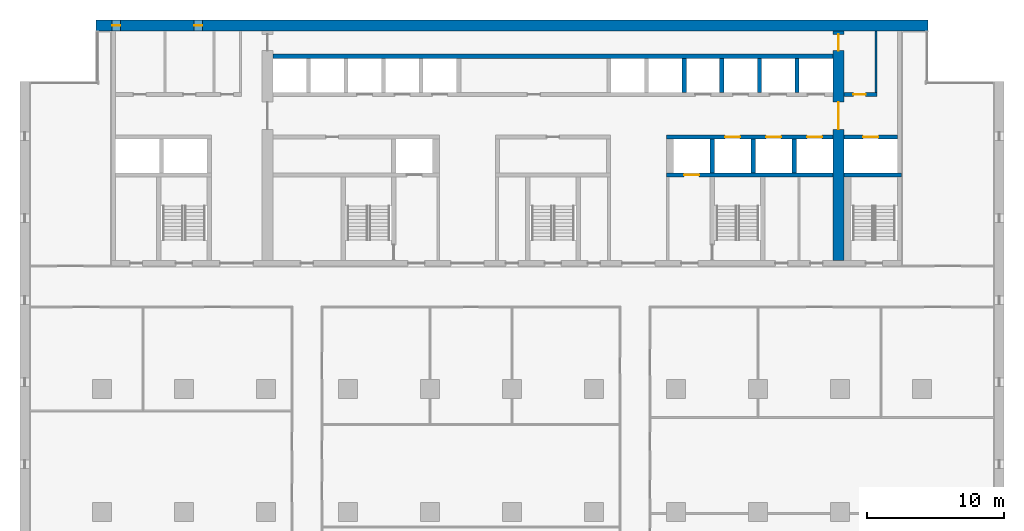
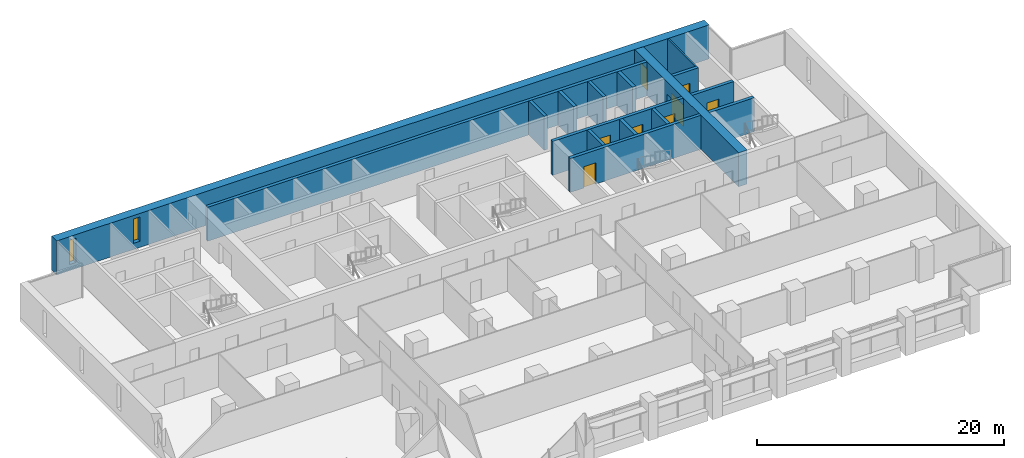
# One storey, part 11 of 17: 16 walls, 8 doors, 2 windows, 10 openings.
"""IFC4 building model written with IfcOpenShell, lengths in metres."""

import ifcopenshell
import ifcopenshell.guid

model = None  # the IFC model being written
_history = None  # IfcOwnerHistory: only IFC2X3 demands one
_inside = {}  # id of a spatial element -> (the spatial element, [elements in it])
_under = {}  # id of a project, library or spatial element -> (it, [spatial elements below it])
_declared = {}  # id of a project -> (the project, [libraries it declares])
_typed = {}  # id of a type object -> (the type object, [elements of that type])
_made_of = {}  # id of a material, layer set ... -> (it, [elements and type objects made of it])


def new_model(schema):
    """Start an empty IFC model of exactly this schema.

    Asked for "IFC4X3", IfcOpenShell would pick the latest addendum, in which some entities
    have other attributes; the version numbers below select the first issue.
    IFC2X3 requires an IfcOwnerHistory on every rooted entity: one is made here for all.
    """
    global model, _history
    if schema == "IFC4X3":
        model = ifcopenshell.file(schema_version=(4, 3, 0, 0))
    else:
        model = ifcopenshell.file(schema=schema)
    _inside.clear()
    _under.clear()
    _declared.clear()
    _typed.clear()
    _made_of.clear()
    _history = None
    if model.schema == "IFC2X3":
        org = make("IfcOrganization", Name="unknown")
        user = make(
            "IfcPersonAndOrganization",
            ThePerson=make("IfcPerson", FamilyName="unknown"),
            TheOrganization=org,
        )
        app = make(
            "IfcApplication",
            ApplicationDeveloper=org,
            Version="unknown",
            ApplicationFullName="unknown",
            ApplicationIdentifier="unknown",
        )
        _history = make(
            "IfcOwnerHistory",
            OwningUser=user,
            OwningApplication=app,
            ChangeAction="ADDED",
            CreationDate=0,
        )
    return model


def make(cls, **values):
    """One entity of the class cls with the attributes given. An attribute that is None is left unset."""
    return model.create_entity(
        cls, **{name: value for name, value in values.items() if value is not None}
    )


def rooted(cls, **values):
    """An entity with a GlobalId (a new one), such as an element, a storey or a relation."""
    return make(cls, GlobalId=ifcopenshell.guid.new(), OwnerHistory=_history, **values)


def si_unit(unit_type, name, prefix=None):
    """IfcSIUnit, for example si_unit("LENGTHUNIT", "METRE", prefix="MILLI")."""
    return make("IfcSIUnit", UnitType=unit_type, Prefix=prefix, Name=name)


def assignment(units):
    """IfcUnitAssignment: the units of a project."""
    return None if units is None else make("IfcUnitAssignment", Units=units)


def point(xyz):
    """IfcCartesianPoint."""
    return None if xyz is None else make("IfcCartesianPoint", Coordinates=xyz)


def direction(xyz):
    """IfcDirection."""
    return None if xyz is None else make("IfcDirection", DirectionRatios=xyz)


def frame(location, z_axis=None, x_axis=None):
    """IfcAxis2Placement3D, a coordinate frame: its origin and axes. An axis left out is left unset."""
    return make(
        "IfcAxis2Placement3D",
        Location=point(location),
        Axis=direction(z_axis),
        RefDirection=direction(x_axis),
    )


def frame_2d(location, x_axis=None):
    """IfcAxis2Placement2D, a coordinate frame in the plane: its origin and x axis."""
    return make(
        "IfcAxis2Placement2D", Location=point(location), RefDirection=direction(x_axis)
    )


def origin():
    """The frame at (0, 0, 0) with its axes left unset."""
    return frame((0.0, 0.0, 0.0))


def place(relative_to, where):
    """IfcLocalPlacement: puts the frame where relative to a parent placement (None: the world)."""
    return make(
        "IfcLocalPlacement", PlacementRelTo=relative_to, RelativePlacement=where
    )


def context(
    kind, dimensions, precision=None, world=None, true_north=None, identifier=None
):
    """IfcGeometricRepresentationContext, for example the 3D "Model" context."""
    return make(
        "IfcGeometricRepresentationContext",
        ContextIdentifier=identifier,
        ContextType=kind,
        CoordinateSpaceDimension=dimensions,
        Precision=precision,
        WorldCoordinateSystem=world,
        TrueNorth=true_north,
    )


def subcontext(parent, identifier, kind, view, scale=None):
    """IfcGeometricRepresentationSubContext, for example "Body" below "Model"."""
    return make(
        "IfcGeometricRepresentationSubContext",
        ContextIdentifier=identifier,
        ContextType=kind,
        ParentContext=parent,
        TargetScale=scale,
        TargetView=view,
    )


def project(units=None, contexts=None):
    """IfcProject with its units and contexts."""
    return rooted(
        "IfcProject",
        Name="project",
        RepresentationContexts=contexts,
        UnitsInContext=assignment(units),
    )


def spatial(cls, under=None, at=None, **own):
    """A site, building, storey or space (cls), placed at a placement, below another one or the project."""
    s = rooted(cls, ObjectPlacement=at, **own)
    if under is not None:
        _under.setdefault(under.id(), (under, []))[1].append(s)
    return s


def profile(cls, at=None, kind="AREA", **sizes):
    """A parametric profile (cls). Its sizes go by their IFC names, for example OverallWidth=200.0."""
    return make(cls, ProfileType=kind, Position=at, **sizes)


def rectangle(**sizes):
    """IfcRectangleProfileDef."""
    return profile("IfcRectangleProfileDef", **sizes)


def extrude(swept, where, along, depth):
    """IfcExtrudedAreaSolid: the profile swept, set in the frame where, extruded along a direction by depth."""
    return make(
        "IfcExtrudedAreaSolid",
        SweptArea=swept,
        Position=where,
        ExtrudedDirection=direction(along),
        Depth=depth,
    )


def shape(context_of_items, identifier, shape_type, items):
    """IfcShapeRepresentation: the items that make up one representation, for example the "Body"."""
    return make(
        "IfcShapeRepresentation",
        ContextOfItems=context_of_items,
        RepresentationIdentifier=identifier,
        RepresentationType=shape_type,
        Items=items,
    )


def material(Name=None, Category=None):
    """IfcMaterial."""
    return make("IfcMaterial", Name=Name, Category=Category)


def layer(
    of_material, thickness, ventilated=None, Name=None, Category=None, Priority=None
):
    """IfcMaterialLayer: one layer of a wall or slab, of a material (None: an air gap)."""
    return make(
        "IfcMaterialLayer",
        Material=of_material,
        LayerThickness=thickness,
        IsVentilated=ventilated,
        Name=Name,
        Category=Category,
        Priority=Priority,
    )


def layer_set(layers, Name=None):
    """IfcMaterialLayerSet."""
    return make("IfcMaterialLayerSet", MaterialLayers=layers, LayerSetName=Name)


def made_of(thing, what):
    """Note that an element or type object is made of a material, layer set ...; save() writes the relation."""
    if what is not None:
        _made_of.setdefault(what.id(), (what, []))[1].append(thing)
    return thing


def type_object(cls, material=None, **own):
    """A type object (cls), such as IfcWallType, which elements share."""
    return made_of(rooted(cls, **own), material)


def element(
    cls,
    number,
    at=None,
    inside=None,
    cuts=None,
    type_object=None,
    material=None,
    context=None,
    identifier="Body",
    shape_type=None,
    held_by="IfcProductDefinitionShape",
    body=None,
    shapes=None,
    **own,
):
    """One element of the class cls, such as IfcWall. Its Tag is "e" and its number.

    at: its placement. inside: the storey or other place that contains it. cuts: it is an
    opening in that element (IfcRelVoidsElement). A single representation is given by context,
    identifier, shape_type and body (its items); several are given by shapes. held_by: the class
    of the entity that holds the representations. save() writes the other relations.
    """
    e = rooted(cls, Tag="e%d" % number, ObjectPlacement=at, **own)
    if body is not None:
        shapes = [shape(context, identifier, shape_type, body)]
    if shapes is not None:
        e.Representation = make(held_by, Representations=shapes)
    if inside is not None:
        _inside.setdefault(inside.id(), (inside, []))[1].append(e)
    if cuts is not None:
        rooted(
            "IfcRelVoidsElement", RelatingBuildingElement=cuts, RelatedOpeningElement=e
        )
    if type_object is not None:
        _typed.setdefault(type_object.id(), (type_object, []))[1].append(e)
    return made_of(e, material)


def fill(opening, filler):
    """IfcRelFillsElement: the door or window that sits in an opening."""
    return rooted(
        "IfcRelFillsElement",
        RelatingOpeningElement=opening,
        RelatedBuildingElement=filler,
    )


def aggregate(whole, parts):
    """IfcRelAggregates: a whole, such as a stair, and the parts it consists of."""
    return rooted("IfcRelAggregates", RelatingObject=whole, RelatedObjects=parts)


def save(model, path):
    """Write the relations noted so far, then the file.

    IfcRelAggregates (storeys below a building ...), IfcRelContainedInSpatialStructure (elements
    in a storey), IfcRelDefinesByType, IfcRelAssociatesMaterial and IfcRelDeclares: one each for
    every whole, place, type object, material and project.
    """
    for whole, parts in _under.values():
        aggregate(whole, parts)
    for where, things in _inside.values():
        rooted(
            "IfcRelContainedInSpatialStructure",
            RelatedElements=things,
            RelatingStructure=where,
        )
    for kind, things in _typed.values():
        rooted("IfcRelDefinesByType", RelatedObjects=things, RelatingType=kind)
    for what, things in _made_of.values():
        rooted("IfcRelAssociatesMaterial", RelatedObjects=things, RelatingMaterial=what)
    for by, libraries in _declared.values():
        rooted("IfcRelDeclares", RelatingContext=by, RelatedDefinitions=libraries)
    model.write(path)


model = new_model("IFC4")

# Units and contexts
model_context = context("Model", 3, precision=1e-05, world=origin(), true_north=direction((0.0, 1.0)))
body_context = subcontext(model_context, "Body", "Model", "MODEL_VIEW")
ifc_project = project(units=[si_unit("LENGTHUNIT", "METRE"), si_unit("AREAUNIT", "SQUARE_METRE"), si_unit("VOLUMEUNIT", "CUBIC_METRE"), si_unit("PLANEANGLEUNIT", "RADIAN"), si_unit("MASSUNIT", "GRAM", prefix="KILO")], contexts=[model_context])

# Site, building, storey
site_placement = place(None, origin())
site = spatial("IfcSite", under=ifc_project, at=site_placement, CompositionType="ELEMENT")
building_placement = place(site_placement, origin())
building = spatial("IfcBuilding", under=site, at=building_placement, Name="Calvaro Tower", CompositionType="ELEMENT")
storey_placement = place(building_placement, frame((0.0, 0.0, 102.5)))
storey = spatial("IfcBuildingStorey", under=building, at=storey_placement, Name="L25", CompositionType="ELEMENT", Elevation=102.5)

# Wall
ifc_material_1 = material(Name="Blockwork partition", Category="masonry")
ifc_layer_1 = layer(ifc_material_1, 0.14990234375)
ifc_layer_set_1 = layer_set([ifc_layer_1], Name="Blockwork partition")
wall_type_1 = type_object("IfcWallType", Name="Core partition 150 REI 120", PredefinedType="PARTITIONING", material=ifc_layer_set_1)
wall_1_placement = place(storey_placement, frame((62.625, 40.699951171875, 0.0), z_axis=(0.0, 0.0, 1.0), x_axis=(0.0, 1.0, 0.0)))
element("IfcWall", 1, at=wall_1_placement, inside=storey, type_object=wall_type_1, Name="Core partition", PredefinedType="PARTITIONING", context=body_context, shape_type="SweptSolid", body=[
    extrude(rectangle(XDim=4.5, YDim=0.14990234375, at=frame_2d((2.25, 0.0))), origin(), (0.0, 0.0, 1.0), 3.35009765625),
])

# Wall, opening, door
ifc_material_2 = material(Name="Blockwork partition", Category="masonry")
ifc_layer_2 = layer(ifc_material_2, 0.300048828125)
ifc_layer_set_2 = layer_set([ifc_layer_2], Name="Blockwork partition")
wall_type_2 = type_object("IfcWallType", Name="Core partition 300 REI 120", PredefinedType="PARTITIONING", material=ifc_layer_set_2)
wall_2_placement = place(storey_placement, frame((60.300048828125, 40.550048828125, 0.0), z_axis=(0.0, 0.0, 1.0), x_axis=(1.0, 0.0, 0.0)))
wall_2 = element("IfcWall", 2, at=wall_2_placement, inside=storey, type_object=wall_type_2, Name="Core partition", PredefinedType="PARTITIONING", context=body_context, shape_type="SweptSolid", body=[
    extrude(rectangle(XDim=2.39990234375, YDim=0.300048828125, at=frame_2d((1.199951171875, 0.0))), origin(), (0.0, 0.0, 1.0), 3.35009765625),
])
opening_1_placement = place(wall_2_placement, frame((0.675048828125, 0.0, 0.0)))
opening_1 = element("IfcOpeningElement", 3, at=opening_1_placement, cuts=wall_2, Name="Opening RD9E", PredefinedType="OPENING", context=body_context, shape_type="SweptSolid", body=[
    extrude(rectangle(XDim=0.89990234375, YDim=2.10009765625, at=frame_2d((0.449951171875, 1.050048828125))), frame((0.0, 0.159912109375, 0.0), z_axis=(0.0, -1.0, 0.0), x_axis=(1.0, 0.0, 0.0)), (0.0, 0.0, 1.0), 0.320068359375),
])
ifc_material_3 = material(Name="Steel door set", Category="steel")
door_type_1 = type_object("IfcDoorType", Name="Room door 900 FD60", OperationType="SINGLE_SWING_LEFT", PredefinedType="DOOR", material=ifc_material_3)
door_1_placement = place(opening_1_placement, origin())
door_1 = element("IfcDoor", 4, at=door_1_placement, inside=storey, type_object=door_type_1, Name="Room door", OperationType="SINGLE_SWING_LEFT", OverallHeight=2.10009765625, OverallWidth=0.89990234375, PredefinedType="DOOR", context=body_context, shape_type="SweptSolid", body=[
    extrude(rectangle(XDim=0.89990234375, YDim=2.10009765625, at=frame_2d((0.449951171875, 1.050048828125))), frame((0.0, 0.02490234375, 0.0), z_axis=(0.0, -1.0, 0.0), x_axis=(1.0, 0.0, 0.0)), (0.0, 0.0, 1.0), 0.050048828125),
])
fill(opening_1, door_1)

ifc_material_4 = material(Name="Concrete C60/75", Category="concrete")
ifc_layer_3 = layer(ifc_material_4, 0.300048828125)
ifc_layer_set_3 = layer_set([ifc_layer_3], Name="Concrete C60/75")
wall_type_3 = type_object("IfcWallType", Name="Core wall C60/75 300", PredefinedType="SHEAR", material=ifc_layer_set_3)
wall_3_placement = place(storey_placement, frame((47.300048828125, 34.64990234375, 0.0), z_axis=(0.0, 0.0, 1.0), x_axis=(1.0, 0.0, 0.0)))
wall_3 = element("IfcWall", 5, at=wall_3_placement, inside=storey, type_object=wall_type_3, Name="Core wall, lift shaft", PredefinedType="SHEAR", context=body_context, shape_type="SweptSolid", body=[
    extrude(rectangle(XDim=12.199951171875, YDim=0.300048828125, at=frame_2d((6.10009765625, 0.0))), origin(), (0.0, 0.0, 1.0), 3.35009765625),
])
opening_2_placement = place(wall_3_placement, frame((1.300048828125, 0.0, 0.0)))
opening_2 = element("IfcOpeningElement", 6, at=opening_2_placement, cuts=wall_3, Name="Opening FF2", PredefinedType="OPENING", context=body_context, shape_type="SweptSolid", body=[
    extrude(rectangle(XDim=1.10009765625, YDim=2.10009765625, at=frame_2d((0.550048828125, 1.050048828125))), frame((0.0, 0.159912109375, 0.0), z_axis=(0.0, -1.0, 0.0), x_axis=(1.0, 0.0, 0.0)), (0.0, 0.0, 1.0), 0.320068359375),
])
ifc_material_5 = material(Name="Stainless steel", Category="steel")
door_type_2 = type_object("IfcDoorType", Name="Landing door 1100 E 60", OperationType="SLIDING_TO_LEFT", PredefinedType="DOOR", material=ifc_material_5)
door_2_placement = place(opening_2_placement, origin())
door_2 = element("IfcDoor", 7, at=door_2_placement, inside=storey, type_object=door_type_2, Name="Landing door FF2", OperationType="SLIDING_TO_LEFT", OverallHeight=2.10009765625, OverallWidth=1.10009765625, PredefinedType="DOOR", context=body_context, shape_type="SweptSolid", body=[
    extrude(rectangle(XDim=1.10009765625, YDim=2.10009765625, at=frame_2d((0.550048828125, 1.050048828125))), frame((0.0, 0.02490234375, 0.0), z_axis=(0.0, -1.0, 0.0), x_axis=(1.0, 0.0, 0.0)), (0.0, 0.0, 1.0), 0.050048828125),
])
fill(opening_2, door_2)

# Wall
wall_4_placement = place(storey_placement, frame((60.300048828125, 34.64990234375, 0.0), z_axis=(0.0, 0.0, 1.0), x_axis=(1.0, 0.0, 0.0)))
element("IfcWall", 8, at=wall_4_placement, inside=storey, type_object=wall_type_3, Name="Core wall, lift shaft", PredefinedType="SHEAR", context=body_context, shape_type="SweptSolid", body=[
    extrude(rectangle(XDim=4.199951171875, YDim=0.300048828125, at=frame_2d((2.10009765625, 0.0))), origin(), (0.0, 0.0, 1.0), 3.35009765625),
])

# Wall, openings, doors
wall_5_placement = place(storey_placement, frame((47.300048828125, 37.449951171875, 0.0), z_axis=(0.0, 0.0, 1.0), x_axis=(1.0, 0.0, 0.0)))
wall_5 = element("IfcWall", 9, at=wall_5_placement, inside=storey, type_object=wall_type_3, Name="Core wall, lift shaft", PredefinedType="SHEAR", context=body_context, shape_type="SweptSolid", body=[
    extrude(rectangle(XDim=12.199951171875, YDim=0.300048828125, at=frame_2d((6.10009765625, 0.0))), origin(), (0.0, 0.0, 1.0), 3.35009765625),
])
opening_3_placement = place(wall_5_placement, frame((4.300048828125, 0.0, 0.0)))
opening_3 = element("IfcOpeningElement", 10, at=opening_3_placement, cuts=wall_5, Name="Opening MR1", PredefinedType="OPENING", context=body_context, shape_type="SweptSolid", body=[
    extrude(rectangle(XDim=1.10009765625, YDim=2.10009765625, at=frame_2d((0.550048828125, 1.050048828125))), frame((0.0, 0.159912109375, 0.0), z_axis=(0.0, -1.0, 0.0), x_axis=(1.0, 0.0, 0.0)), (0.0, 0.0, 1.0), 0.320068359375),
])
opening_4_placement = place(wall_5_placement, frame((7.300048828125, 0.0, 0.0)))
opening_4 = element("IfcOpeningElement", 11, at=opening_4_placement, cuts=wall_5, Name="Opening MR2", PredefinedType="OPENING", context=body_context, shape_type="SweptSolid", body=[
    extrude(rectangle(XDim=1.10009765625, YDim=2.10009765625, at=frame_2d((0.550048828125, 1.050048828125))), frame((0.0, 0.159912109375, 0.0), z_axis=(0.0, -1.0, 0.0), x_axis=(1.0, 0.0, 0.0)), (0.0, 0.0, 1.0), 0.320068359375),
])
opening_5_placement = place(wall_5_placement, frame((10.300048828125, 0.0, 0.0)))
opening_5 = element("IfcOpeningElement", 12, at=opening_5_placement, cuts=wall_5, Name="Opening MR3", PredefinedType="OPENING", context=body_context, shape_type="SweptSolid", body=[
    extrude(rectangle(XDim=1.10009765625, YDim=2.10009765625, at=frame_2d((0.550048828125, 1.050048828125))), frame((0.0, 0.159912109375, 0.0), z_axis=(0.0, -1.0, 0.0), x_axis=(1.0, 0.0, 0.0)), (0.0, 0.0, 1.0), 0.320068359375),
])
door_3_placement = place(opening_3_placement, origin())
door_3 = element("IfcDoor", 13, at=door_3_placement, inside=storey, type_object=door_type_2, Name="Landing door MR1", OperationType="SLIDING_TO_LEFT", OverallHeight=2.10009765625, OverallWidth=1.10009765625, PredefinedType="DOOR", context=body_context, shape_type="SweptSolid", body=[
    extrude(rectangle(XDim=1.10009765625, YDim=2.10009765625, at=frame_2d((0.550048828125, 1.050048828125))), frame((0.0, 0.02490234375, 0.0), z_axis=(0.0, -1.0, 0.0), x_axis=(1.0, 0.0, 0.0)), (0.0, 0.0, 1.0), 0.050048828125),
])
fill(opening_3, door_3)
door_4_placement = place(opening_4_placement, origin())
door_4 = element("IfcDoor", 14, at=door_4_placement, inside=storey, type_object=door_type_2, Name="Landing door MR2", OperationType="SLIDING_TO_LEFT", OverallHeight=2.10009765625, OverallWidth=1.10009765625, PredefinedType="DOOR", context=body_context, shape_type="SweptSolid", body=[
    extrude(rectangle(XDim=1.10009765625, YDim=2.10009765625, at=frame_2d((0.550048828125, 1.050048828125))), frame((0.0, 0.02490234375, 0.0), z_axis=(0.0, -1.0, 0.0), x_axis=(1.0, 0.0, 0.0)), (0.0, 0.0, 1.0), 0.050048828125),
])
fill(opening_4, door_4)
door_5_placement = place(opening_5_placement, origin())
door_5 = element("IfcDoor", 15, at=door_5_placement, inside=storey, type_object=door_type_2, Name="Landing door MR3", OperationType="SLIDING_TO_LEFT", OverallHeight=2.10009765625, OverallWidth=1.10009765625, PredefinedType="DOOR", context=body_context, shape_type="SweptSolid", body=[
    extrude(rectangle(XDim=1.10009765625, YDim=2.10009765625, at=frame_2d((0.550048828125, 1.050048828125))), frame((0.0, 0.02490234375, 0.0), z_axis=(0.0, -1.0, 0.0), x_axis=(1.0, 0.0, 0.0)), (0.0, 0.0, 1.0), 0.050048828125),
])
fill(opening_5, door_5)

# Wall, opening, door
wall_6_placement = place(storey_placement, frame((60.300048828125, 37.449951171875, 0.0), z_axis=(0.0, 0.0, 1.0), x_axis=(1.0, 0.0, 0.0)))
wall_6 = element("IfcWall", 16, at=wall_6_placement, inside=storey, type_object=wall_type_3, Name="Core wall, lift shaft", PredefinedType="SHEAR", context=body_context, shape_type="SweptSolid", body=[
    extrude(rectangle(XDim=3.89990234375, YDim=0.300048828125, at=frame_2d((1.949951171875, 0.0))), origin(), (0.0, 0.0, 1.0), 3.35009765625),
])
opening_6_placement = place(wall_6_placement, frame((1.39990234375, 0.0, 0.0)))
opening_6 = element("IfcOpeningElement", 17, at=opening_6_placement, cuts=wall_6, Name="Opening FF3", PredefinedType="OPENING", context=body_context, shape_type="SweptSolid", body=[
    extrude(rectangle(XDim=1.10009765625, YDim=2.10009765625, at=frame_2d((0.550048828125, 1.050048828125))), frame((0.0, 0.159912109375, 0.0), z_axis=(0.0, -1.0, 0.0), x_axis=(1.0, 0.0, 0.0)), (0.0, 0.0, 1.0), 0.320068359375),
])
door_6_placement = place(opening_6_placement, origin())
door_6 = element("IfcDoor", 18, at=door_6_placement, inside=storey, type_object=door_type_2, Name="Landing door FF3", OperationType="SLIDING_TO_LEFT", OverallHeight=2.10009765625, OverallWidth=1.10009765625, PredefinedType="DOOR", context=body_context, shape_type="SweptSolid", body=[
    extrude(rectangle(XDim=1.10009765625, YDim=2.10009765625, at=frame_2d((0.550048828125, 1.050048828125))), frame((0.0, 0.02490234375, 0.0), z_axis=(0.0, -1.0, 0.0), x_axis=(1.0, 0.0, 0.0)), (0.0, 0.0, 1.0), 0.050048828125),
])
fill(opening_6, door_6)

# Walls
wall_7_placement = place(storey_placement, frame((50.64990234375, 34.800048828125, 0.0), z_axis=(0.0, 0.0, 1.0), x_axis=(0.0, 1.0, 0.0)))
element("IfcWall", 19, at=wall_7_placement, inside=storey, type_object=wall_type_3, Name="Core wall, lift shaft", PredefinedType="SHEAR", context=body_context, shape_type="SweptSolid", body=[
    extrude(rectangle(XDim=2.5, YDim=0.300048828125, at=frame_2d((1.25, 0.0))), origin(), (0.0, 0.0, 1.0), 3.35009765625),
])
wall_8_placement = place(storey_placement, frame((18.5, 43.35009765625, 0.0), z_axis=(0.0, 0.0, 1.0), x_axis=(1.0, 0.0, 0.0)))
element("IfcWall", 20, at=wall_8_placement, inside=storey, type_object=wall_type_3, Name="Core wall, lift shaft", PredefinedType="SHEAR", context=body_context, shape_type="SweptSolid", body=[
    extrude(rectangle(XDim=41.0, YDim=0.300048828125, at=frame_2d((20.5, 0.0))), origin(), (0.0, 0.0, 1.0), 3.35009765625),
])
for number, where, z_axis, x_axis, name in (
    (21, (53.64990234375, 34.800048828125, 0.0), (0.0, 0.0, 1.0), (0.0, 1.0, 0.0), "Core wall, lift shaft"),
    (22, (56.64990234375, 34.800048828125, 0.0), (0.0, 0.0, 1.0), (0.0, 1.0, 0.0), "Core wall, lift shaft"),
    (23, (48.60009765625, 40.699951171875, 0.0), (0.0, 0.0, 1.0), (0.0, 1.0, 0.0), "Core wall, lift shaft"),
    (24, (51.35009765625, 40.699951171875, 0.0), (0.0, 0.0, 1.0), (0.0, 1.0, 0.0), "Core wall, lift shaft"),
    (25, (54.10009765625, 40.699951171875, 0.0), (0.0, 0.0, 1.0), (0.0, 1.0, 0.0), "Core wall, lift shaft"),
    (26, (56.85009765625, 40.699951171875, 0.0), (0.0, 0.0, 1.0), (0.0, 1.0, 0.0), "Core wall, lift shaft"),
):
    element("IfcWall", number, at=place(storey_placement, frame(where, z_axis=z_axis, x_axis=x_axis)), inside=storey, type_object=wall_type_3, Name=name, PredefinedType="SHEAR", context=body_context, shape_type="SweptSolid", body=[
        extrude(rectangle(XDim=2.5, YDim=0.300048828125, at=frame_2d((1.25, 0.0))), origin(), (0.0, 0.0, 1.0), 3.35009765625),
    ])

# Wall, openings, doors
ifc_material_6 = material(Name="Concrete C60/75", Category="concrete")
ifc_layer_4 = layer(ifc_material_6, 0.800048828125)
ifc_layer_set_4 = layer_set([ifc_layer_4], Name="Concrete C60/75")
wall_type_4 = type_object("IfcWallType", Name="Core wall C60/75 800", PredefinedType="SHEAR", material=ifc_layer_set_4)
wall_9_placement = place(storey_placement, frame((59.89990234375, 28.39990234375, 0.0), z_axis=(0.0, 0.0, 1.0), x_axis=(0.0, 1.0, 0.0)))
wall_9 = element("IfcWall", 27, at=wall_9_placement, inside=storey, type_object=wall_type_4, Name="Core wall, cross shear wall", PredefinedType="SHEAR", context=body_context, shape_type="SweptSolid", body=[
    extrude(rectangle(XDim=16.800048828125, YDim=0.800048828125, at=frame_2d((8.39990234375, 0.0))), origin(), (0.0, 0.0, 1.0), 3.35009765625),
])
opening_7_placement = place(wall_9_placement, frame((9.60009765625, 0.0, 0.0)))
opening_7 = element("IfcOpeningElement", 28, at=opening_7_placement, cuts=wall_9, Name="Opening DD20D", PredefinedType="OPENING", context=body_context, shape_type="SweptSolid", body=[
    extrude(rectangle(XDim=2.0, YDim=2.10009765625, at=frame_2d((1.0, 1.050048828125))), frame((0.0, 0.409912109375, 0.0), z_axis=(0.0, -1.0, 0.0), x_axis=(1.0, 0.0, 0.0)), (0.0, 0.0, 1.0), 0.820068359375),
])
opening_8_placement = place(wall_9_placement, frame((15.35009765625, 0.0, 0.0)))
opening_8 = element("IfcOpeningElement", 29, at=opening_8_placement, cuts=wall_9, Name="Opening FD12C", PredefinedType="OPENING", context=body_context, shape_type="SweptSolid", body=[
    extrude(rectangle(XDim=1.199951171875, YDim=2.10009765625, at=frame_2d((0.60009765625, 1.050048828125))), frame((0.0, 0.409912109375, 0.0), z_axis=(0.0, -1.0, 0.0), x_axis=(1.0, 0.0, 0.0)), (0.0, 0.0, 1.0), 0.820068359375),
])
ifc_material_7 = material(Name="Steel door set", Category="steel")
door_type_3 = type_object("IfcDoorType", Name="Fire door 1200 FD30", OperationType="SINGLE_SWING_LEFT", PredefinedType="DOOR", material=ifc_material_7)
door_7_placement = place(opening_8_placement, origin())
door_7 = element("IfcDoor", 30, at=door_7_placement, inside=storey, type_object=door_type_3, Name="Fire door", OperationType="SINGLE_SWING_LEFT", OverallHeight=2.10009765625, OverallWidth=1.199951171875, PredefinedType="DOOR", context=body_context, shape_type="SweptSolid", body=[
    extrude(rectangle(XDim=1.199951171875, YDim=2.10009765625, at=frame_2d((0.60009765625, 1.050048828125))), frame((0.0, 0.02490234375, 0.0), z_axis=(0.0, -1.0, 0.0), x_axis=(1.0, 0.0, 0.0)), (0.0, 0.0, 1.0), 0.050048828125),
])
fill(opening_8, door_7)
ifc_material_8 = material(Name="Steel door set", Category="steel")
door_type_4 = type_object("IfcDoorType", Name="Lobby double door 2000 FD30S", OperationType="DOUBLE_DOOR_SINGLE_SWING", PredefinedType="DOOR", material=ifc_material_8)
door_8_placement = place(opening_7_placement, origin())
door_8 = element("IfcDoor", 31, at=door_8_placement, inside=storey, type_object=door_type_4, Name="Lobby double door", OperationType="DOUBLE_DOOR_SINGLE_SWING", OverallHeight=2.10009765625, OverallWidth=2.0, PredefinedType="DOOR", context=body_context, shape_type="SweptSolid", body=[
    extrude(rectangle(XDim=2.0, YDim=2.10009765625, at=frame_2d((1.0, 1.050048828125))), frame((0.0, 0.02490234375, 0.0), z_axis=(0.0, -1.0, 0.0), x_axis=(1.0, 0.0, 0.0)), (0.0, 0.0, 1.0), 0.050048828125),
])
fill(opening_7, door_8)

# Wall, openings, windows
ifc_material_9 = material(Name="Concrete C60/75", Category="concrete")
ifc_layer_5 = layer(ifc_material_9, 0.800048828125)
ifc_layer_set_5 = layer_set([ifc_layer_5], Name="Concrete C60/75")
wall_type_5 = type_object("IfcWallType", Name="Rear core wall 800 C60/75", PredefinedType="SHEAR", material=ifc_layer_set_5)
wall_10_placement = place(storey_placement, frame((5.550048828125, 45.60009765625, 0.0), z_axis=(0.0, 0.0, 1.0), x_axis=(1.0, 0.0, 0.0)))
wall_10 = element("IfcWall", 32, at=wall_10_placement, inside=storey, type_object=wall_type_5, Name="North core wall", PredefinedType="SHEAR", context=body_context, shape_type="SweptSolid", body=[
    extrude(rectangle(XDim=60.89990234375, YDim=0.800048828125, at=frame_2d((30.449951171875, 0.0))), origin(), (0.0, 0.0, 1.0), 3.35009765625),
])
opening_9_placement = place(wall_10_placement, frame((1.199951171875, 0.0, 0.60009765625)))
opening_9 = element("IfcOpeningElement", 33, at=opening_9_placement, cuts=wall_10, Name="Opening WN01", PredefinedType="OPENING", context=body_context, shape_type="SweptSolid", body=[
    extrude(rectangle(XDim=0.60009765625, YDim=2.39990234375, at=frame_2d((0.300048828125, 1.199951171875))), frame((0.0, 0.409912109375, 0.0), z_axis=(0.0, -1.0, 0.0), x_axis=(1.0, 0.0, 0.0)), (0.0, 0.0, 1.0), 0.820068359375),
])
opening_10_placement = place(wall_10_placement, frame((7.199951171875, 0.0, 0.60009765625)))
opening_10 = element("IfcOpeningElement", 34, at=opening_10_placement, cuts=wall_10, Name="Opening WN02", PredefinedType="OPENING", context=body_context, shape_type="SweptSolid", body=[
    extrude(rectangle(XDim=0.60009765625, YDim=2.39990234375, at=frame_2d((0.300048828125, 1.199951171875))), frame((0.0, 0.409912109375, 0.0), z_axis=(0.0, -1.0, 0.0), x_axis=(1.0, 0.0, 0.0)), (0.0, 0.0, 1.0), 0.820068359375),
])
ifc_material_10 = material(Name="Glass", Category="glass")
window_type = type_object("IfcWindowType", Name="Slit window 600 x 2400", PartitioningType="SINGLE_PANEL", PredefinedType="WINDOW", material=ifc_material_10)
window_1_placement = place(opening_9_placement, origin())
window_1 = element("IfcWindow", 35, at=window_1_placement, inside=storey, type_object=window_type, Name="Window WN01", OverallHeight=2.39990234375, OverallWidth=0.60009765625, PartitioningType="SINGLE_PANEL", PredefinedType="WINDOW", context=body_context, shape_type="SweptSolid", body=[
    extrude(rectangle(XDim=0.60009765625, YDim=2.39990234375, at=frame_2d((0.300048828125, 1.199951171875))), frame((0.0, 0.030029296875, 0.0), z_axis=(0.0, -1.0, 0.0), x_axis=(1.0, 0.0, 0.0)), (0.0, 0.0, 1.0), 0.06005859375),
])
fill(opening_9, window_1)
window_2_placement = place(opening_10_placement, origin())
window_2 = element("IfcWindow", 36, at=window_2_placement, inside=storey, type_object=window_type, Name="Window WN02", OverallHeight=2.39990234375, OverallWidth=0.60009765625, PartitioningType="SINGLE_PANEL", PredefinedType="WINDOW", context=body_context, shape_type="SweptSolid", body=[
    extrude(rectangle(XDim=0.60009765625, YDim=2.39990234375, at=frame_2d((0.300048828125, 1.199951171875))), frame((0.0, 0.030029296875, 0.0), z_axis=(0.0, -1.0, 0.0), x_axis=(1.0, 0.0, 0.0)), (0.0, 0.0, 1.0), 0.06005859375),
])
fill(opening_10, window_2)

save(model, "model.ifc")
